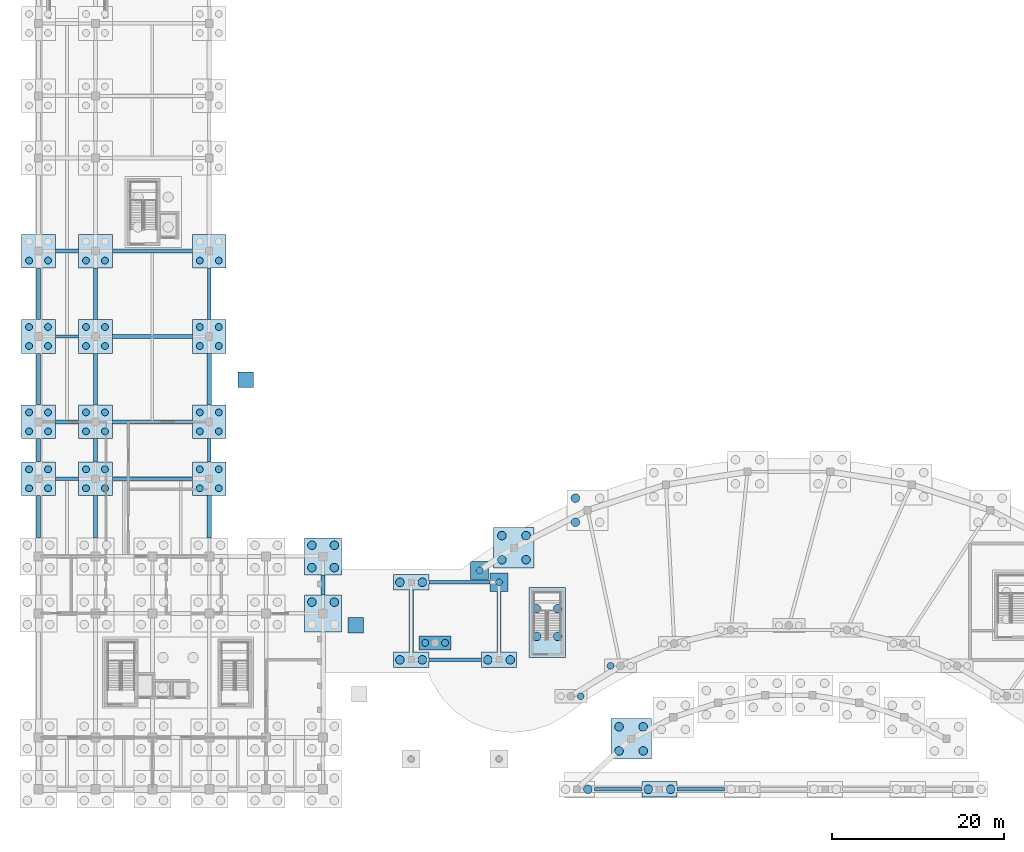
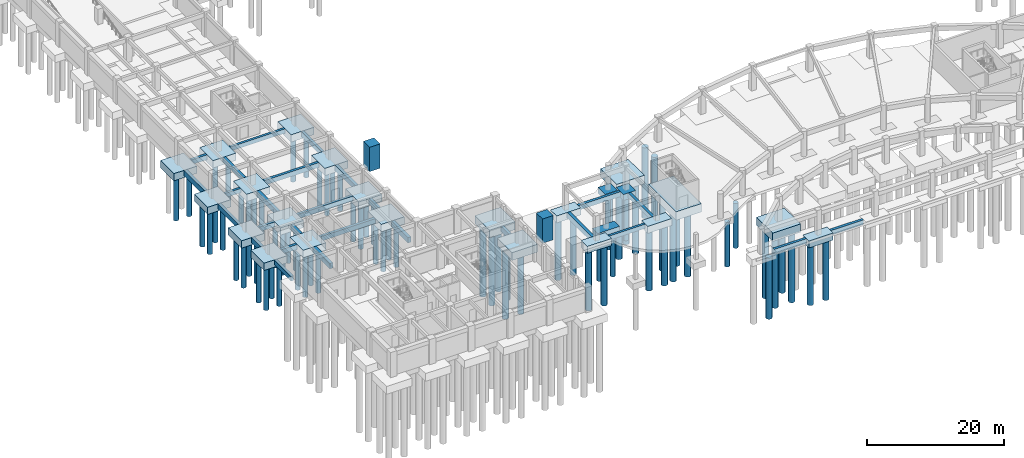
# One storey, part 2 of 28: 77 piles, 53 footings.
"""IFC4 building model written with IfcOpenShell, lengths in metres."""

from ifc_helpers import new_model, si_unit, direction, frame, origin, origin_2d, place, context, subcontext, project, spatial, rectangle, circle, extrude, material, layer, layer_set, material_profile, profile_set, type_object, element, save


model = new_model("IFC4")

# Units and contexts
model_context = context("Model", 3, precision=1e-05, world=origin(), true_north=direction((0.0, 1.0)))
body_context = subcontext(model_context, "Body", "Model", "MODEL_VIEW")
ifc_project = project(units=[si_unit("LENGTHUNIT", "METRE"), si_unit("AREAUNIT", "SQUARE_METRE"), si_unit("VOLUMEUNIT", "CUBIC_METRE"), si_unit("PLANEANGLEUNIT", "RADIAN"), si_unit("MASSUNIT", "GRAM", prefix="KILO")], contexts=[model_context])

# Site, building, storey
site_placement = place(None, origin())
site = spatial("IfcSite", under=ifc_project, at=site_placement, CompositionType="ELEMENT")
building_placement = place(site_placement, origin())
building = spatial("IfcBuilding", under=site, at=building_placement, Name="Miralva Faculty of Natural Sciences", CompositionType="ELEMENT")
storey_placement = place(building_placement, frame((0.0, 0.0, -4.5)))
storey = spatial("IfcBuildingStorey", under=building, at=storey_placement, Name="B1", CompositionType="ELEMENT", Elevation=-4.5)

# Footings
ifc_material_1 = material(Name="Concrete C35/45", Category="concrete")
ifc_layer_1 = layer(ifc_material_1, 1.10009765625, Name="CAP-PC01")
ifc_layer_set_1 = layer_set([ifc_layer_1], Name="Concrete C35/45")
footing_type_1 = type_object("IfcFootingType", Name="CAP-PC01", PredefinedType="PILE_CAP", material=ifc_layer_set_1)
for number, where, z_axis, x_axis, name in (
    (1, (54.14501953125, 28.35009765625, -1.10009765625), (0.0, 0.0, 1.0), (1.0, 0.0, 0.0), "Pile cap CS-ARC-OUT01"),
    (2, (56.39990234375, 27.0, -1.10009765625), (0.0, 0.0, 1.0), (1.0, 0.0, 0.0), "Pile cap CS-LNK-WL2N"),
):
    element("IfcFooting", number, at=place(storey_placement, frame(where, z_axis=z_axis, x_axis=x_axis)), inside=storey, type_object=footing_type_1, Name=name, PredefinedType="PILE_CAP", context=body_context, shape_type="SweptSolid", body=[
        extrude(rectangle(XDim=2.10009765625, YDim=2.10009765625, at=origin_2d()), origin(), (0.0, 0.0, 1.0), 1.10009765625),
    ])
ifc_layer_2 = layer(ifc_material_1, 1.14990234375, Name="CAP-PC02")
ifc_layer_set_2 = layer_set([ifc_layer_2], Name="Concrete C35/45")
footing_type_2 = type_object("IfcFootingType", Name="CAP-PC02", PredefinedType="PILE_CAP", material=ifc_layer_set_2)
footing_1_placement = place(storey_placement, frame((48.985595703125, 19.9765625, -1.14990234375), z_axis=(0.0, 0.0, 1.0), x_axis=(1.0, 0.0, 0.0)))
element("IfcFooting", 3, at=footing_1_placement, inside=storey, type_object=footing_type_2, Name="Pile cap CS-RND-W01", PredefinedType="PILE_CAP", context=body_context, shape_type="SweptSolid", body=[
    extrude(rectangle(XDim=3.699951171875, YDim=1.60009765625, at=origin_2d()), origin(), (0.0, 0.0, 1.0), 1.14990234375),
])
ifc_layer_3 = layer(ifc_material_1, 1.25, Name="CAP-PC04")
ifc_layer_set_3 = layer_set([ifc_layer_3], Name="Concrete C35/45")
footing_type_3 = type_object("IfcFootingType", Name="CAP-PC04", PredefinedType="PILE_CAP", material=ifc_layer_set_3)
for number, where, z_axis, x_axis, name in (
    (4, (75.0, 3.0, -1.25), (0.0, 0.0, 1.0), (1.0, 0.0, 0.0), "Pile cap CS-V1-S10"),
    (5, (46.199951171875, 18.0, -1.25), (0.0, 0.0, 1.0), (1.0, 0.0, 0.0), "Pile cap CS-LNK-WL1S"),
    (6, (46.199951171875, 27.0, -1.25), (0.0, 0.0, 1.0), (1.0, 0.0, 0.0), "Pile cap CS-LNK-WL1N"),
    (7, (56.39990234375, 18.0, -1.25), (0.0, 0.0, 1.0), (1.0, 0.0, 0.0), "Pile cap CS-LNK-WL2S"),
):
    element("IfcFooting", number, at=place(storey_placement, frame(where, z_axis=z_axis, x_axis=x_axis)), inside=storey, type_object=footing_type_3, Name=name, PredefinedType="PILE_CAP", context=body_context, shape_type="SweptSolid", body=[
        extrude(rectangle(XDim=4.10009765625, YDim=1.800048828125, at=origin_2d()), origin(), (0.0, 0.0, 1.0), 1.25),
    ])
ifc_layer_4 = layer(ifc_material_1, 1.300048828125, Name="CAP-PC05")
ifc_layer_set_4 = layer_set([ifc_layer_4], Name="Concrete C35/45")
footing_type_4 = type_object("IfcFootingType", Name="CAP-PC05", PredefinedType="PILE_CAP", material=ifc_layer_set_4)
for number, where, z_axis, x_axis, name in (
    (8, (3.0, 39.0, -1.2998046875), (0.0, 0.0, 1.0), (1.0, 0.0, 0.0), "Pile cap CS-V4W-1E"),
    (9, (3.0, 45.60009765625, -1.2998046875), (0.0, 0.0, 1.0), (1.0, 0.0, 0.0), "Pile cap CS-V4W-1F"),
    (10, (3.0, 55.5, -1.2998046875), (0.0, 0.0, 1.0), (1.0, 0.0, 0.0), "Pile cap CS-V4W-1G"),
    (11, (3.0, 65.39990234375, -1.2998046875), (0.0, 0.0, 1.0), (1.0, 0.0, 0.0), "Pile cap CS-V4W-1H"),
    (12, (9.60009765625, 39.0, -1.2998046875), (0.0, 0.0, 1.0), (1.0, 0.0, 0.0), "Pile cap CS-V4W-2E"),
    (13, (9.60009765625, 45.60009765625, -1.2998046875), (0.0, 0.0, 1.0), (1.0, 0.0, 0.0), "Pile cap CS-V4W-2F"),
    (14, (9.60009765625, 55.5, -1.2998046875), (0.0, 0.0, 1.0), (1.0, 0.0, 0.0), "Pile cap CS-V4W-2G"),
    (15, (9.60009765625, 65.39990234375, -1.2998046875), (0.0, 0.0, 1.0), (1.0, 0.0, 0.0), "Pile cap CS-V4W-2H"),
    (16, (22.800048828125, 39.0, -1.2998046875), (0.0, 0.0, 1.0), (1.0, 0.0, 0.0), "Pile cap CS-V4W-4E"),
    (17, (22.800048828125, 45.60009765625, -1.2998046875), (0.0, 0.0, 1.0), (1.0, 0.0, 0.0), "Pile cap CS-V4W-4F"),
    (18, (22.800048828125, 55.5, -1.2998046875), (0.0, 0.0, 1.0), (1.0, 0.0, 0.0), "Pile cap CS-V4W-4G"),
    (19, (22.800048828125, 65.39990234375, -1.2998046875), (0.0, 0.0, 1.0), (1.0, 0.0, 0.0), "Pile cap CS-V4W-4H"),
):
    element("IfcFooting", number, at=place(storey_placement, frame(where, z_axis=z_axis, x_axis=x_axis)), inside=storey, type_object=footing_type_4, Name=name, PredefinedType="PILE_CAP", context=body_context, shape_type="SweptSolid", body=[
        extrude(rectangle(XDim=3.89990234375, YDim=3.89990234375, at=origin_2d()), origin(), (0.0, 0.0, 1.0), 1.300048828125),
    ])
ifc_layer_5 = layer(ifc_material_1, 1.39990234375, Name="CAP-PC06")
ifc_layer_set_5 = layer_set([ifc_layer_5], Name="Concrete C35/45")
footing_type_5 = type_object("IfcFootingType", Name="CAP-PC06", PredefinedType="PILE_CAP", material=ifc_layer_set_5)
for number, where, z_axis, x_axis, name in (
    (20, (36.0, 23.39990234375, -1.39990234375), (0.0, 0.0, 1.0), (1.0, 0.0, 0.0), "Pile cap CS-V5-6C"),
    (21, (36.0, 30.0, -1.39990234375), (0.0, 0.0, 1.0), (1.0, 0.0, 0.0), "Pile cap CS-V5-6D"),
):
    element("IfcFooting", number, at=place(storey_placement, frame(where, z_axis=z_axis, x_axis=x_axis)), inside=storey, type_object=footing_type_5, Name=name, PredefinedType="PILE_CAP", context=body_context, shape_type="SweptSolid", body=[
        extrude(rectangle(XDim=4.300048828125, YDim=4.300048828125, at=origin_2d()), origin(), (0.0, 0.0, 1.0), 1.39990234375),
    ])
ifc_material_2 = material(Name="Concrete C40/50", Category="concrete")
ifc_layer_6 = layer(ifc_material_2, 1.5, Name="CAP-PC07")
ifc_layer_set_6 = layer_set([ifc_layer_6], Name="Concrete C40/50")
footing_type_6 = type_object("IfcFootingType", Name="CAP-PC07", PredefinedType="PILE_CAP", material=ifc_layer_set_6)
for number, where, z_axis, x_axis, name in (
    (22, (71.712646484375, 8.84228515625, -1.5), (0.0, 0.0, 1.0), (1.0, 0.0, 0.0), "Pile cap CS-SH-IN01"),
    (23, (58.127685546875, 31.010986328125, -1.5), (0.0, 0.0, 1.0), (1.0, 0.0, 0.0), "Pile cap CS-SH-OUT01"),
):
    element("IfcFooting", number, at=place(storey_placement, frame(where, z_axis=z_axis, x_axis=x_axis)), inside=storey, type_object=footing_type_6, Name=name, PredefinedType="PILE_CAP", context=body_context, shape_type="SweptSolid", body=[
        extrude(rectangle(XDim=4.699951171875, YDim=4.699951171875, at=origin_2d()), origin(), (0.0, 0.0, 1.0), 1.5),
    ])
ifc_layer_7 = layer(ifc_material_2, 1.5, Name="CAP-PC08-C6")
ifc_layer_set_7 = layer_set([ifc_layer_7], Name="Concrete C40/50")
footing_type_7 = type_object("IfcFootingType", Name="CAP-PC08-C6", PredefinedType="PILE_CAP", material=ifc_layer_set_7)
footing_2_placement = place(storey_placement, frame((61.97509765625, 22.324951171875, -1.5), z_axis=(0.0, 0.0, 1.0), x_axis=(1.0, 0.0, 0.0)))
element("IfcFooting", 24, at=footing_2_placement, inside=storey, type_object=footing_type_7, Name="Core C6 pile cap", PredefinedType="PILE_CAP", context=body_context, shape_type="SweptSolid", body=[
    extrude(rectangle(XDim=4.25, YDim=8.14990234375, at=origin_2d()), origin(), (0.0, 0.0, 1.0), 1.5),
])
ifc_layer_8 = layer(ifc_material_1, 0.75, Name="PAD-PF01")
ifc_layer_set_8 = layer_set([ifc_layer_8], Name="Concrete C35/45")
footing_type_8 = type_object("IfcFootingType", Name="PAD-PF01", PredefinedType="PAD_FOOTING", material=ifc_layer_set_8)
for number, where, z_axis, x_axis, name in (
    (25, (39.800048828125, 22.0, -0.0302734375), (0.0, 0.0, 1.0), (1.0, 0.0, 0.0), "Pedestrian ramp RMP-PED-02 abutment pier"),
    (26, (27.0, 50.5, -0.0302734375), (0.0, 0.0, 1.0), (1.0, 0.0, 0.0), "Pedestrian ramp RMP-PED-03 abutment pier"),
):
    element("IfcFooting", number, at=place(storey_placement, frame(where, z_axis=z_axis, x_axis=x_axis)), inside=storey, type_object=footing_type_8, Name=name, PredefinedType="PAD_FOOTING", context=body_context, shape_type="SweptSolid", body=[
        extrude(rectangle(XDim=1.800048828125, YDim=1.800048828125, at=origin_2d()), origin(), (0.0, 0.0, 1.0), 4.360107421875),
    ])

# Piles
ifc_material_profile_1 = material_profile(ifc_material_1, circle(Radius=0.5, at=origin_2d()), Name="BORED PILE 1000")
ifc_profile_set_1 = profile_set([ifc_material_profile_1], Name="Concrete C35/45")
pile_type_1 = type_object("IfcPileType", Name="PILE-P1000", PredefinedType="BORED", material=ifc_profile_set_1)
for number, where, z_axis, x_axis, name in (
    (27, (60.75, 20.72509765625, -1.35009765625), (0.0, 0.0, -1.0), (1.0, 0.0, 0.0), "Core C6 bored pile 1"),
    (28, (63.199951171875, 20.72509765625, -1.35009765625), (0.0, 0.0, -1.0), (1.0, 0.0, 0.0), "Core C6 bored pile 2"),
    (29, (60.75, 23.925048828125, -1.35009765625), (0.0, 0.0, -1.0), (1.0, 0.0, 0.0), "Core C6 bored pile 3"),
    (30, (63.199951171875, 23.925048828125, -1.35009765625), (0.0, 0.0, -1.0), (1.0, 0.0, 0.0), "Core C6 bored pile 4"),
    (31, (70.3125, 7.4423828125, -1.35009765625), (0.0, 0.0, -1.0), (1.0, 0.0, 0.0), "Bored pile CS-SH-IN01-1"),
    (32, (73.112548828125, 7.4423828125, -1.35009765625), (0.0, 0.0, -1.0), (1.0, 0.0, 0.0), "Bored pile CS-SH-IN01-2"),
    (33, (70.3125, 10.242431640625, -1.35009765625), (0.0, 0.0, -1.0), (1.0, 0.0, 0.0), "Bored pile CS-SH-IN01-3"),
    (34, (73.112548828125, 10.242431640625, -1.35009765625), (0.0, 0.0, -1.0), (1.0, 0.0, 0.0), "Bored pile CS-SH-IN01-4"),
    (35, (56.7275390625, 29.611083984375, -1.35009765625), (0.0, 0.0, -1.0), (1.0, 0.0, 0.0), "Bored pile CS-SH-OUT01-1"),
    (36, (59.527587890625, 29.611083984375, -1.35009765625), (0.0, 0.0, -1.0), (1.0, 0.0, 0.0), "Bored pile CS-SH-OUT01-2"),
    (37, (56.7275390625, 32.4111328125, -1.35009765625), (0.0, 0.0, -1.0), (1.0, 0.0, 0.0), "Bored pile CS-SH-OUT01-3"),
    (38, (59.527587890625, 32.4111328125, -1.35009765625), (0.0, 0.0, -1.0), (1.0, 0.0, 0.0), "Bored pile CS-SH-OUT01-4"),
    (39, (65.25634765625, 33.956787109375, -1.35009765625), (0.0, 0.0, -1.0), (1.0, 0.0, 0.0), "Bored pile CS-SH-OUT02-1"),
    (40, (65.25634765625, 36.756591796875, -1.35009765625), (0.0, 0.0, -1.0), (1.0, 0.0, 0.0), "Bored pile CS-SH-OUT02-3"),
):
    element("IfcPile", number, at=place(storey_placement, frame(where, z_axis=z_axis, x_axis=x_axis)), inside=storey, type_object=pile_type_1, Name=name, PredefinedType="BORED", context=body_context, shape_type="SweptSolid", body=[
        extrude(circle(Radius=0.5, at=origin_2d()), origin(), (0.0, 0.0, 1.0), 12.64990234375),
    ])
for number, where, z_axis, x_axis, name in (
    (41, (34.699951171875, 24.699951171875, -1.25), (0.0, 0.0, -1.0), (1.0, 0.0, 0.0), "Bored pile CS-V5-6C-3"),
    (42, (37.300048828125, 24.699951171875, -1.25), (0.0, 0.0, -1.0), (1.0, 0.0, 0.0), "Bored pile CS-V5-6C-4"),
    (43, (34.699951171875, 28.699951171875, -1.25), (0.0, 0.0, -1.0), (1.0, 0.0, 0.0), "Bored pile CS-V5-6D-1"),
    (44, (37.300048828125, 28.699951171875, -1.25), (0.0, 0.0, -1.0), (1.0, 0.0, 0.0), "Bored pile CS-V5-6D-2"),
    (45, (34.699951171875, 31.300048828125, -1.25), (0.0, 0.0, -1.0), (1.0, 0.0, 0.0), "Bored pile CS-V5-6D-3"),
    (46, (37.300048828125, 31.300048828125, -1.25), (0.0, 0.0, -1.0), (1.0, 0.0, 0.0), "Bored pile CS-V5-6D-4"),
):
    element("IfcPile", number, at=place(storey_placement, frame(where, z_axis=z_axis, x_axis=x_axis)), inside=storey, type_object=pile_type_1, Name=name, PredefinedType="BORED", context=body_context, shape_type="SweptSolid", body=[
        extrude(circle(Radius=0.5, at=origin_2d()), origin(), (0.0, 0.0, 1.0), 12.75),
    ])
for number, where, z_axis, x_axis, name in (
    (47, (66.699951171875, 3.0, -1.10009765625), (0.0, 0.0, -1.0), (1.0, 0.0, 0.0), "Bored pile CS-V1-S9-2"),
    (48, (73.699951171875, 3.0, -1.10009765625), (0.0, 0.0, -1.0), (1.0, 0.0, 0.0), "Bored pile CS-V1-S10-1"),
    (49, (76.300048828125, 3.0, -1.10009765625), (0.0, 0.0, -1.0), (1.0, 0.0, 0.0), "Bored pile CS-V1-S10-2"),
    (50, (44.89990234375, 18.0, -1.10009765625), (0.0, 0.0, -1.0), (1.0, 0.0, 0.0), "Bored pile CS-LNK-WL1S-1"),
    (51, (47.5, 18.0, -1.10009765625), (0.0, 0.0, -1.0), (1.0, 0.0, 0.0), "Bored pile CS-LNK-WL1S-2"),
    (52, (44.89990234375, 27.0, -1.10009765625), (0.0, 0.0, -1.0), (1.0, 0.0, 0.0), "Bored pile CS-LNK-WL1N-1"),
    (53, (47.5, 27.0, -1.10009765625), (0.0, 0.0, -1.0), (1.0, 0.0, 0.0), "Bored pile CS-LNK-WL1N-2"),
    (54, (55.10009765625, 18.0, -1.10009765625), (0.0, 0.0, -1.0), (1.0, 0.0, 0.0), "Bored pile CS-LNK-WL2S-1"),
    (55, (57.699951171875, 18.0, -1.10009765625), (0.0, 0.0, -1.0), (1.0, 0.0, 0.0), "Bored pile CS-LNK-WL2S-2"),
):
    element("IfcPile", number, at=place(storey_placement, frame(where, z_axis=z_axis, x_axis=x_axis)), inside=storey, type_object=pile_type_1, Name=name, PredefinedType="BORED", context=body_context, shape_type="SweptSolid", body=[
        extrude(circle(Radius=0.5, at=origin_2d()), origin(), (0.0, 0.0, 1.0), 10.89990234375),
    ])
ifc_material_profile_2 = material_profile(ifc_material_1, circle(Radius=0.39990234375, at=origin_2d()), Name="BORED PILE 800")
ifc_profile_set_2 = profile_set([ifc_material_profile_2], Name="Concrete C35/45")
pile_type_2 = type_object("IfcPileType", Name="PILE-P800", PredefinedType="BORED", material=ifc_profile_set_2)
for number, where, z_axis, x_axis, name in (
    (56, (1.89990234375, 37.89990234375, -1.14990234375), (0.0, 0.0, -1.0), (1.0, 0.0, 0.0), "Bored pile CS-V4W-1E-1"),
    (57, (4.10009765625, 37.89990234375, -1.14990234375), (0.0, 0.0, -1.0), (1.0, 0.0, 0.0), "Bored pile CS-V4W-1E-2"),
    (58, (1.89990234375, 40.10009765625, -1.14990234375), (0.0, 0.0, -1.0), (1.0, 0.0, 0.0), "Bored pile CS-V4W-1E-3"),
    (59, (4.10009765625, 40.10009765625, -1.14990234375), (0.0, 0.0, -1.0), (1.0, 0.0, 0.0), "Bored pile CS-V4W-1E-4"),
    (60, (1.89990234375, 44.5, -1.14990234375), (0.0, 0.0, -1.0), (1.0, 0.0, 0.0), "Bored pile CS-V4W-1F-1"),
    (61, (4.10009765625, 44.5, -1.14990234375), (0.0, 0.0, -1.0), (1.0, 0.0, 0.0), "Bored pile CS-V4W-1F-2"),
    (62, (1.89990234375, 46.699951171875, -1.14990234375), (0.0, 0.0, -1.0), (1.0, 0.0, 0.0), "Bored pile CS-V4W-1F-3"),
    (63, (4.10009765625, 46.699951171875, -1.14990234375), (0.0, 0.0, -1.0), (1.0, 0.0, 0.0), "Bored pile CS-V4W-1F-4"),
    (64, (1.89990234375, 54.39990234375, -1.14990234375), (0.0, 0.0, -1.0), (1.0, 0.0, 0.0), "Bored pile CS-V4W-1G-1"),
    (65, (4.10009765625, 54.39990234375, -1.14990234375), (0.0, 0.0, -1.0), (1.0, 0.0, 0.0), "Bored pile CS-V4W-1G-2"),
    (66, (1.89990234375, 56.60009765625, -1.14990234375), (0.0, 0.0, -1.0), (1.0, 0.0, 0.0), "Bored pile CS-V4W-1G-3"),
    (67, (4.10009765625, 56.60009765625, -1.14990234375), (0.0, 0.0, -1.0), (1.0, 0.0, 0.0), "Bored pile CS-V4W-1G-4"),
    (68, (1.89990234375, 64.300048828125, -1.14990234375), (0.0, 0.0, -1.0), (1.0, 0.0, 0.0), "Bored pile CS-V4W-1H-1"),
    (69, (4.10009765625, 64.300048828125, -1.14990234375), (0.0, 0.0, -1.0), (1.0, 0.0, 0.0), "Bored pile CS-V4W-1H-2"),
    (70, (8.5, 37.89990234375, -1.14990234375), (0.0, 0.0, -1.0), (1.0, 0.0, 0.0), "Bored pile CS-V4W-2E-1"),
    (71, (10.699951171875, 37.89990234375, -1.14990234375), (0.0, 0.0, -1.0), (1.0, 0.0, 0.0), "Bored pile CS-V4W-2E-2"),
    (72, (8.5, 40.10009765625, -1.14990234375), (0.0, 0.0, -1.0), (1.0, 0.0, 0.0), "Bored pile CS-V4W-2E-3"),
    (73, (10.699951171875, 40.10009765625, -1.14990234375), (0.0, 0.0, -1.0), (1.0, 0.0, 0.0), "Bored pile CS-V4W-2E-4"),
    (74, (8.5, 44.5, -1.14990234375), (0.0, 0.0, -1.0), (1.0, 0.0, 0.0), "Bored pile CS-V4W-2F-1"),
    (75, (10.699951171875, 44.5, -1.14990234375), (0.0, 0.0, -1.0), (1.0, 0.0, 0.0), "Bored pile CS-V4W-2F-2"),
    (76, (8.5, 46.699951171875, -1.14990234375), (0.0, 0.0, -1.0), (1.0, 0.0, 0.0), "Bored pile CS-V4W-2F-3"),
    (77, (10.699951171875, 46.699951171875, -1.14990234375), (0.0, 0.0, -1.0), (1.0, 0.0, 0.0), "Bored pile CS-V4W-2F-4"),
    (78, (8.5, 54.39990234375, -1.14990234375), (0.0, 0.0, -1.0), (1.0, 0.0, 0.0), "Bored pile CS-V4W-2G-1"),
    (79, (10.699951171875, 54.39990234375, -1.14990234375), (0.0, 0.0, -1.0), (1.0, 0.0, 0.0), "Bored pile CS-V4W-2G-2"),
    (80, (8.5, 56.60009765625, -1.14990234375), (0.0, 0.0, -1.0), (1.0, 0.0, 0.0), "Bored pile CS-V4W-2G-3"),
    (81, (10.699951171875, 56.60009765625, -1.14990234375), (0.0, 0.0, -1.0), (1.0, 0.0, 0.0), "Bored pile CS-V4W-2G-4"),
    (82, (8.5, 64.300048828125, -1.14990234375), (0.0, 0.0, -1.0), (1.0, 0.0, 0.0), "Bored pile CS-V4W-2H-1"),
    (83, (10.699951171875, 64.300048828125, -1.14990234375), (0.0, 0.0, -1.0), (1.0, 0.0, 0.0), "Bored pile CS-V4W-2H-2"),
    (84, (21.699951171875, 37.89990234375, -1.14990234375), (0.0, 0.0, -1.0), (1.0, 0.0, 0.0), "Bored pile CS-V4W-4E-1"),
    (85, (23.89990234375, 37.89990234375, -1.14990234375), (0.0, 0.0, -1.0), (1.0, 0.0, 0.0), "Bored pile CS-V4W-4E-2"),
    (86, (21.699951171875, 40.10009765625, -1.14990234375), (0.0, 0.0, -1.0), (1.0, 0.0, 0.0), "Bored pile CS-V4W-4E-3"),
    (87, (23.89990234375, 40.10009765625, -1.14990234375), (0.0, 0.0, -1.0), (1.0, 0.0, 0.0), "Bored pile CS-V4W-4E-4"),
    (88, (21.699951171875, 44.5, -1.14990234375), (0.0, 0.0, -1.0), (1.0, 0.0, 0.0), "Bored pile CS-V4W-4F-1"),
    (89, (23.89990234375, 44.5, -1.14990234375), (0.0, 0.0, -1.0), (1.0, 0.0, 0.0), "Bored pile CS-V4W-4F-2"),
    (90, (21.699951171875, 46.699951171875, -1.14990234375), (0.0, 0.0, -1.0), (1.0, 0.0, 0.0), "Bored pile CS-V4W-4F-3"),
    (91, (23.89990234375, 46.699951171875, -1.14990234375), (0.0, 0.0, -1.0), (1.0, 0.0, 0.0), "Bored pile CS-V4W-4F-4"),
    (92, (21.699951171875, 54.39990234375, -1.14990234375), (0.0, 0.0, -1.0), (1.0, 0.0, 0.0), "Bored pile CS-V4W-4G-1"),
    (93, (23.89990234375, 54.39990234375, -1.14990234375), (0.0, 0.0, -1.0), (1.0, 0.0, 0.0), "Bored pile CS-V4W-4G-2"),
    (94, (21.699951171875, 56.60009765625, -1.14990234375), (0.0, 0.0, -1.0), (1.0, 0.0, 0.0), "Bored pile CS-V4W-4G-3"),
    (95, (23.89990234375, 56.60009765625, -1.14990234375), (0.0, 0.0, -1.0), (1.0, 0.0, 0.0), "Bored pile CS-V4W-4G-4"),
    (96, (21.699951171875, 64.300048828125, -1.14990234375), (0.0, 0.0, -1.0), (1.0, 0.0, 0.0), "Bored pile CS-V4W-4H-1"),
    (97, (23.89990234375, 64.300048828125, -1.14990234375), (0.0, 0.0, -1.0), (1.0, 0.0, 0.0), "Bored pile CS-V4W-4H-2"),
):
    element("IfcPile", number, at=place(storey_placement, frame(where, z_axis=z_axis, x_axis=x_axis)), inside=storey, type_object=pile_type_2, Name=name, PredefinedType="BORED", context=body_context, shape_type="SweptSolid", body=[
        extrude(circle(Radius=0.39990234375, at=origin_2d()), origin(), (0.0, 0.0, 1.0), 7.85009765625),
    ])
pile_1_placement = place(storey_placement, frame((65.875244140625, 13.78759765625, -1.0), z_axis=(0.0, 0.0, -1.0), x_axis=(1.0, 0.0, 0.0)))
element("IfcPile", 98, at=pile_1_placement, inside=storey, type_object=pile_type_2, Name="Bored pile CS-ARC-IN01-2", PredefinedType="BORED", context=body_context, shape_type="SweptSolid", body=[
    extrude(circle(Radius=0.39990234375, at=origin_2d()), origin(), (0.0, 0.0, 1.0), 8.0),
])
pile_2_placement = place(storey_placement, frame((54.14501953125, 28.35009765625, -0.949951171875), z_axis=(0.0, 0.0, -1.0), x_axis=(1.0, 0.0, 0.0)))
element("IfcPile", 99, at=pile_2_placement, inside=storey, type_object=pile_type_2, Name="Bored pile CS-ARC-OUT01-1", PredefinedType="BORED", context=body_context, shape_type="SweptSolid", body=[
    extrude(circle(Radius=0.39990234375, at=origin_2d()), origin(), (0.0, 0.0, 1.0), 8.050048828125),
])
for number, where, z_axis, x_axis, name in (
    (100, (69.328369140625, 17.313232421875, -1.0), (0.0, 0.0, -1.0), (1.0, 0.0, 0.0), "Bored pile CS-ARC-IN02-1"),
    (101, (47.835693359375, 19.9765625, -1.0), (0.0, 0.0, -1.0), (1.0, 0.0, 0.0), "Bored pile CS-RND-W01-1"),
    (102, (50.135498046875, 19.9765625, -1.0), (0.0, 0.0, -1.0), (1.0, 0.0, 0.0), "Bored pile CS-RND-W01-2"),
):
    element("IfcPile", number, at=place(storey_placement, frame(where, z_axis=z_axis, x_axis=x_axis)), inside=storey, type_object=pile_type_2, Name=name, PredefinedType="BORED", context=body_context, shape_type="SweptSolid", body=[
        extrude(circle(Radius=0.39990234375, at=origin_2d()), origin(), (0.0, 0.0, 1.0), 8.0),
    ])
pile_3_placement = place(storey_placement, frame((56.39990234375, 27.0, -0.949951171875), z_axis=(0.0, 0.0, -1.0), x_axis=(1.0, 0.0, 0.0)))
element("IfcPile", 103, at=pile_3_placement, inside=storey, type_object=pile_type_2, Name="Bored pile CS-LNK-WL2N-1", PredefinedType="BORED", context=body_context, shape_type="SweptSolid", body=[
    extrude(circle(Radius=0.39990234375, at=origin_2d()), origin(), (0.0, 0.0, 1.0), 8.050048828125),
])

# Footings
ifc_material_profile_3 = material_profile(ifc_material_1, rectangle(XDim=0.449951171875, YDim=0.85009765625, at=origin_2d()), Name="RC 450x850")
ifc_profile_set_3 = profile_set([ifc_material_profile_3], Name="Concrete C35/45")
footing_type_9 = type_object("IfcFootingType", Name="TB-01", PredefinedType="FOOTING_BEAM", material=ifc_profile_set_3)
footing_3_placement = place(storey_placement, frame((3.0, 32.14990234375, -0.425048828125), z_axis=(0.0, 1.0, 0.0), x_axis=(-1.0, 0.0, 0.0)))
element("IfcFooting", 104, at=footing_3_placement, inside=storey, type_object=footing_type_9, Name="Foundation tie beam NS 4", PredefinedType="FOOTING_BEAM", context=body_context, shape_type="SweptSolid", body=[
    extrude(rectangle(XDim=0.449951171875, YDim=0.85009765625, at=origin_2d()), origin(), (0.0, 0.0, 1.0), 4.900146484375),
])
footing_4_placement = place(storey_placement, frame((3.0, 47.550048828125, -0.425048828125), z_axis=(0.0, 1.0, 0.0), x_axis=(-1.0, 0.0, 0.0)))
element("IfcFooting", 105, at=footing_4_placement, inside=storey, type_object=footing_type_9, Name="Foundation tie beam NS 6", PredefinedType="FOOTING_BEAM", context=body_context, shape_type="SweptSolid", body=[
    extrude(rectangle(XDim=0.449951171875, YDim=0.85009765625, at=origin_2d()), origin(), (0.0, 0.0, 1.0), 6.0),
])
footing_5_placement = place(storey_placement, frame((9.60009765625, 40.949951171875, -0.425048828125), z_axis=(0.0, 1.0, 0.0), x_axis=(-1.0, 0.0, 0.0)))
element("IfcFooting", 106, at=footing_5_placement, inside=storey, type_object=footing_type_9, Name="Foundation tie beam NS 18", PredefinedType="FOOTING_BEAM", context=body_context, shape_type="SweptSolid", body=[
    extrude(rectangle(XDim=0.449951171875, YDim=0.85009765625, at=origin_2d()), origin(), (0.0, 0.0, 1.0), 2.699951171875),
])
footing_6_placement = place(storey_placement, frame((9.60009765625, 57.449951171875, -0.425048828125), z_axis=(0.0, 1.0, 0.0), x_axis=(-1.0, 0.0, 0.0)))
element("IfcFooting", 107, at=footing_6_placement, inside=storey, type_object=footing_type_9, Name="Foundation tie beam NS 20", PredefinedType="FOOTING_BEAM", context=body_context, shape_type="SweptSolid", body=[
    extrude(rectangle(XDim=0.449951171875, YDim=0.85009765625, at=origin_2d()), origin(), (0.0, 0.0, 1.0), 6.0),
])
footing_7_placement = place(storey_placement, frame((22.800048828125, 40.949951171875, -0.425048828125), z_axis=(0.0, 1.0, 0.0), x_axis=(-1.0, 0.0, 0.0)))
element("IfcFooting", 108, at=footing_7_placement, inside=storey, type_object=footing_type_9, Name="Foundation tie beam NS 32", PredefinedType="FOOTING_BEAM", context=body_context, shape_type="SweptSolid", body=[
    extrude(rectangle(XDim=0.449951171875, YDim=0.85009765625, at=origin_2d()), origin(), (0.0, 0.0, 1.0), 2.699951171875),
])
footing_8_placement = place(storey_placement, frame((22.800048828125, 57.449951171875, -0.425048828125), z_axis=(0.0, 1.0, 0.0), x_axis=(-1.0, 0.0, 0.0)))
element("IfcFooting", 109, at=footing_8_placement, inside=storey, type_object=footing_type_9, Name="Foundation tie beam NS 34", PredefinedType="FOOTING_BEAM", context=body_context, shape_type="SweptSolid", body=[
    extrude(rectangle(XDim=0.449951171875, YDim=0.85009765625, at=origin_2d()), origin(), (0.0, 0.0, 1.0), 6.0),
])
footing_9_placement = place(storey_placement, frame((36.0, 25.550048828125, -0.425048828125), z_axis=(0.0, 1.0, 0.0), x_axis=(-1.0, 0.0, 0.0)))
element("IfcFooting", 110, at=footing_9_placement, inside=storey, type_object=footing_type_9, Name="Foundation tie beam NS 48", PredefinedType="FOOTING_BEAM", context=body_context, shape_type="SweptSolid", body=[
    extrude(rectangle(XDim=0.449951171875, YDim=0.85009765625, at=origin_2d()), origin(), (0.0, 0.0, 1.0), 2.300048828125),
])
footing_10_placement = place(storey_placement, frame((56.39990234375, 18.89990234375, -0.425048828125), z_axis=(0.0, 1.0, 0.0), x_axis=(-1.0, 0.0, 0.0)))
element("IfcFooting", 111, at=footing_10_placement, inside=storey, type_object=footing_type_9, Name="Foundation tie beam NS 54", PredefinedType="FOOTING_BEAM", context=body_context, shape_type="SweptSolid", body=[
    extrude(rectangle(XDim=0.449951171875, YDim=0.85009765625, at=origin_2d()), origin(), (0.0, 0.0, 1.0), 7.050048828125),
])
for number, where, z_axis, x_axis, name in (
    (112, (67.449951171875, 3.0, -0.425048828125), (1.0, 0.0, 0.0), (0.0, 1.0, 0.0), "Foundation tie beam EW 118"),
    (113, (77.050048828125, 3.0, -0.425048828125), (1.0, 0.0, 0.0), (0.0, 1.0, 0.0), "Foundation tie beam EW 119"),
):
    element("IfcFooting", number, at=place(storey_placement, frame(where, z_axis=z_axis, x_axis=x_axis)), inside=storey, type_object=footing_type_9, Name=name, PredefinedType="FOOTING_BEAM", context=body_context, shape_type="SweptSolid", body=[
        extrude(rectangle(XDim=0.449951171875, YDim=0.85009765625, at=origin_2d()), origin(), (0.0, 0.0, 1.0), 5.5),
    ])
footing_11_placement = place(storey_placement, frame((48.25, 27.0, -0.425048828125), z_axis=(1.0, 0.0, 0.0), x_axis=(0.0, 1.0, 0.0)))
element("IfcFooting", 114, at=footing_11_placement, inside=storey, type_object=footing_type_9, Name="Foundation tie beam EW 142", PredefinedType="FOOTING_BEAM", context=body_context, shape_type="SweptSolid", body=[
    extrude(rectangle(XDim=0.449951171875, YDim=0.85009765625, at=origin_2d()), origin(), (0.0, 0.0, 1.0), 7.10009765625),
])
footing_12_placement = place(storey_placement, frame((4.949951171875, 39.0, -0.425048828125), z_axis=(1.0, 0.0, 0.0), x_axis=(0.0, 1.0, 0.0)))
element("IfcFooting", 115, at=footing_12_placement, inside=storey, type_object=footing_type_9, Name="Foundation tie beam EW 151", PredefinedType="FOOTING_BEAM", context=body_context, shape_type="SweptSolid", body=[
    extrude(rectangle(XDim=0.449951171875, YDim=0.85009765625, at=origin_2d()), origin(), (0.0, 0.0, 1.0), 2.699951171875),
])
footing_13_placement = place(storey_placement, frame((11.550048828125, 39.0, -0.425048828125), z_axis=(1.0, 0.0, 0.0), x_axis=(0.0, 1.0, 0.0)))
element("IfcFooting", 116, at=footing_13_placement, inside=storey, type_object=footing_type_9, Name="Foundation tie beam EW 152", PredefinedType="FOOTING_BEAM", context=body_context, shape_type="SweptSolid", body=[
    extrude(rectangle(XDim=0.449951171875, YDim=0.85009765625, at=origin_2d()), origin(), (0.0, 0.0, 1.0), 9.300048828125),
])
footing_14_placement = place(storey_placement, frame((4.949951171875, 45.60009765625, -0.425048828125), z_axis=(1.0, 0.0, 0.0), x_axis=(0.0, 1.0, 0.0)))
element("IfcFooting", 117, at=footing_14_placement, inside=storey, type_object=footing_type_9, Name="Foundation tie beam EW 157", PredefinedType="FOOTING_BEAM", context=body_context, shape_type="SweptSolid", body=[
    extrude(rectangle(XDim=0.449951171875, YDim=0.85009765625, at=origin_2d()), origin(), (0.0, 0.0, 1.0), 2.699951171875),
])
for number, where, z_axis, x_axis, name in (
    (118, (11.550048828125, 45.60009765625, -0.425048828125), (1.0, 0.0, 0.0), (0.0, 1.0, 0.0), "Foundation tie beam EW 158"),
    (119, (11.550048828125, 55.5, -0.425048828125), (1.0, 0.0, 0.0), (0.0, 1.0, 0.0), "Foundation tie beam EW 163"),
):
    element("IfcFooting", number, at=place(storey_placement, frame(where, z_axis=z_axis, x_axis=x_axis)), inside=storey, type_object=footing_type_9, Name=name, PredefinedType="FOOTING_BEAM", context=body_context, shape_type="SweptSolid", body=[
        extrude(rectangle(XDim=0.449951171875, YDim=0.85009765625, at=origin_2d()), origin(), (0.0, 0.0, 1.0), 9.300048828125),
    ])
footing_15_placement = place(storey_placement, frame((4.949951171875, 65.39990234375, -0.425048828125), z_axis=(1.0, 0.0, 0.0), x_axis=(0.0, 1.0, 0.0)))
element("IfcFooting", 120, at=footing_15_placement, inside=storey, type_object=footing_type_9, Name="Foundation tie beam EW 167", PredefinedType="FOOTING_BEAM", context=body_context, shape_type="SweptSolid", body=[
    extrude(rectangle(XDim=0.449951171875, YDim=0.85009765625, at=origin_2d()), origin(), (0.0, 0.0, 1.0), 2.699951171875),
])
ifc_material_profile_4 = material_profile(ifc_material_1, rectangle(XDim=0.5, YDim=0.949951171875, at=origin_2d()), Name="RC 500x950")
ifc_profile_set_4 = profile_set([ifc_material_profile_4], Name="Concrete C35/45")
footing_type_10 = type_object("IfcFootingType", Name="TB-02", PredefinedType="FOOTING_BEAM", material=ifc_profile_set_4)
footing_16_placement = place(storey_placement, frame((3.0, 40.949951171875, -0.47509765625), z_axis=(0.0, 1.0, 0.0), x_axis=(-1.0, 0.0, 0.0)))
element("IfcFooting", 121, at=footing_16_placement, inside=storey, type_object=footing_type_10, Name="Foundation tie beam NS 5", PredefinedType="FOOTING_BEAM", context=body_context, shape_type="SweptSolid", body=[
    extrude(rectangle(XDim=0.5, YDim=0.949951171875, at=origin_2d()), origin(), (0.0, 0.0, 1.0), 2.699951171875),
])
footing_17_placement = place(storey_placement, frame((3.0, 57.449951171875, -0.47509765625), z_axis=(0.0, 1.0, 0.0), x_axis=(-1.0, 0.0, 0.0)))
element("IfcFooting", 122, at=footing_17_placement, inside=storey, type_object=footing_type_10, Name="Foundation tie beam NS 7", PredefinedType="FOOTING_BEAM", context=body_context, shape_type="SweptSolid", body=[
    extrude(rectangle(XDim=0.5, YDim=0.949951171875, at=origin_2d()), origin(), (0.0, 0.0, 1.0), 6.0),
])
footing_18_placement = place(storey_placement, frame((9.60009765625, 32.14990234375, -0.47509765625), z_axis=(0.0, 1.0, 0.0), x_axis=(-1.0, 0.0, 0.0)))
element("IfcFooting", 123, at=footing_18_placement, inside=storey, type_object=footing_type_10, Name="Foundation tie beam NS 17", PredefinedType="FOOTING_BEAM", context=body_context, shape_type="SweptSolid", body=[
    extrude(rectangle(XDim=0.5, YDim=0.949951171875, at=origin_2d()), origin(), (0.0, 0.0, 1.0), 4.900146484375),
])
footing_19_placement = place(storey_placement, frame((9.60009765625, 47.550048828125, -0.47509765625), z_axis=(0.0, 1.0, 0.0), x_axis=(-1.0, 0.0, 0.0)))
element("IfcFooting", 124, at=footing_19_placement, inside=storey, type_object=footing_type_10, Name="Foundation tie beam NS 19", PredefinedType="FOOTING_BEAM", context=body_context, shape_type="SweptSolid", body=[
    extrude(rectangle(XDim=0.5, YDim=0.949951171875, at=origin_2d()), origin(), (0.0, 0.0, 1.0), 6.0),
])
footing_20_placement = place(storey_placement, frame((22.800048828125, 32.14990234375, -0.47509765625), z_axis=(0.0, 1.0, 0.0), x_axis=(-1.0, 0.0, 0.0)))
element("IfcFooting", 125, at=footing_20_placement, inside=storey, type_object=footing_type_10, Name="Foundation tie beam NS 31", PredefinedType="FOOTING_BEAM", context=body_context, shape_type="SweptSolid", body=[
    extrude(rectangle(XDim=0.5, YDim=0.949951171875, at=origin_2d()), origin(), (0.0, 0.0, 1.0), 4.900146484375),
])
footing_21_placement = place(storey_placement, frame((22.800048828125, 47.550048828125, -0.47509765625), z_axis=(0.0, 1.0, 0.0), x_axis=(-1.0, 0.0, 0.0)))
element("IfcFooting", 126, at=footing_21_placement, inside=storey, type_object=footing_type_10, Name="Foundation tie beam NS 33", PredefinedType="FOOTING_BEAM", context=body_context, shape_type="SweptSolid", body=[
    extrude(rectangle(XDim=0.5, YDim=0.949951171875, at=origin_2d()), origin(), (0.0, 0.0, 1.0), 6.0),
])
footing_22_placement = place(storey_placement, frame((46.199951171875, 18.89990234375, -0.47509765625), z_axis=(0.0, 1.0, 0.0), x_axis=(-1.0, 0.0, 0.0)))
element("IfcFooting", 127, at=footing_22_placement, inside=storey, type_object=footing_type_10, Name="Foundation tie beam NS 51", PredefinedType="FOOTING_BEAM", context=body_context, shape_type="SweptSolid", body=[
    extrude(rectangle(XDim=0.5, YDim=0.949951171875, at=origin_2d()), origin(), (0.0, 0.0, 1.0), 7.2001953125),
])
ifc_material_profile_5 = material_profile(ifc_material_1, rectangle(XDim=0.39990234375, YDim=0.75, at=origin_2d()), Name="RC 400x750")
ifc_profile_set_5 = profile_set([ifc_material_profile_5], Name="Concrete C35/45")
footing_type_11 = type_object("IfcFootingType", Name="TB-04", PredefinedType="FOOTING_BEAM", material=ifc_profile_set_5)
footing_23_placement = place(storey_placement, frame((48.25, 18.0, -0.375), z_axis=(1.0, 0.0, 0.0), x_axis=(0.0, 1.0, 0.0)))
element("IfcFooting", 128, at=footing_23_placement, inside=storey, type_object=footing_type_11, Name="Foundation tie beam EW 132", PredefinedType="FOOTING_BEAM", context=body_context, shape_type="SweptSolid", body=[
    extrude(rectangle(XDim=0.39990234375, YDim=0.75, at=origin_2d()), origin(), (0.0, 0.0, 1.0), 6.10009765625),
])
footing_24_placement = place(storey_placement, frame((4.949951171875, 55.5, -0.375), z_axis=(1.0, 0.0, 0.0), x_axis=(0.0, 1.0, 0.0)))
element("IfcFooting", 129, at=footing_24_placement, inside=storey, type_object=footing_type_11, Name="Foundation tie beam EW 162", PredefinedType="FOOTING_BEAM", context=body_context, shape_type="SweptSolid", body=[
    extrude(rectangle(XDim=0.39990234375, YDim=0.75, at=origin_2d()), origin(), (0.0, 0.0, 1.0), 2.699951171875),
])
footing_25_placement = place(storey_placement, frame((11.550048828125, 65.39990234375, -0.375), z_axis=(1.0, 0.0, 0.0), x_axis=(0.0, 1.0, 0.0)))
element("IfcFooting", 130, at=footing_25_placement, inside=storey, type_object=footing_type_11, Name="Foundation tie beam EW 168", PredefinedType="FOOTING_BEAM", context=body_context, shape_type="SweptSolid", body=[
    extrude(rectangle(XDim=0.39990234375, YDim=0.75, at=origin_2d()), origin(), (0.0, 0.0, 1.0), 9.300048828125),
])

save(model, "model.ifc")
